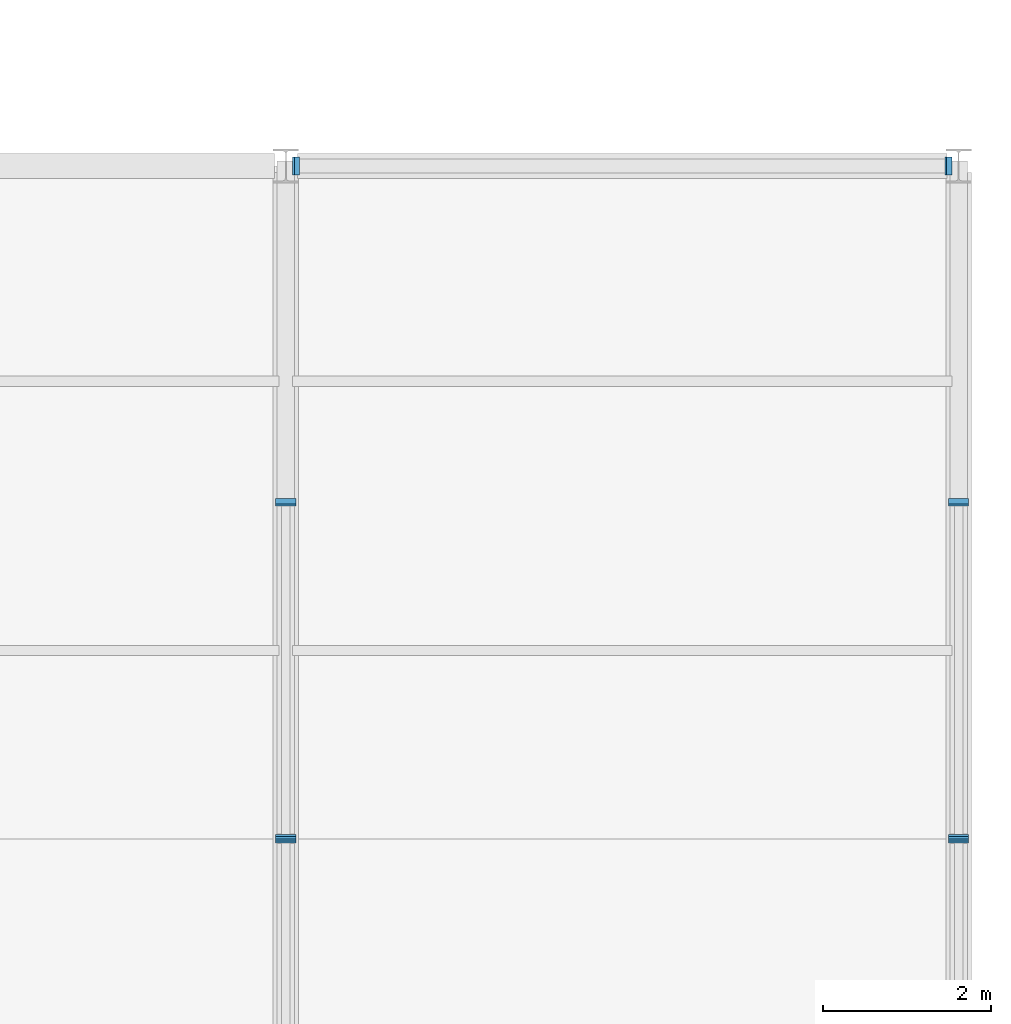
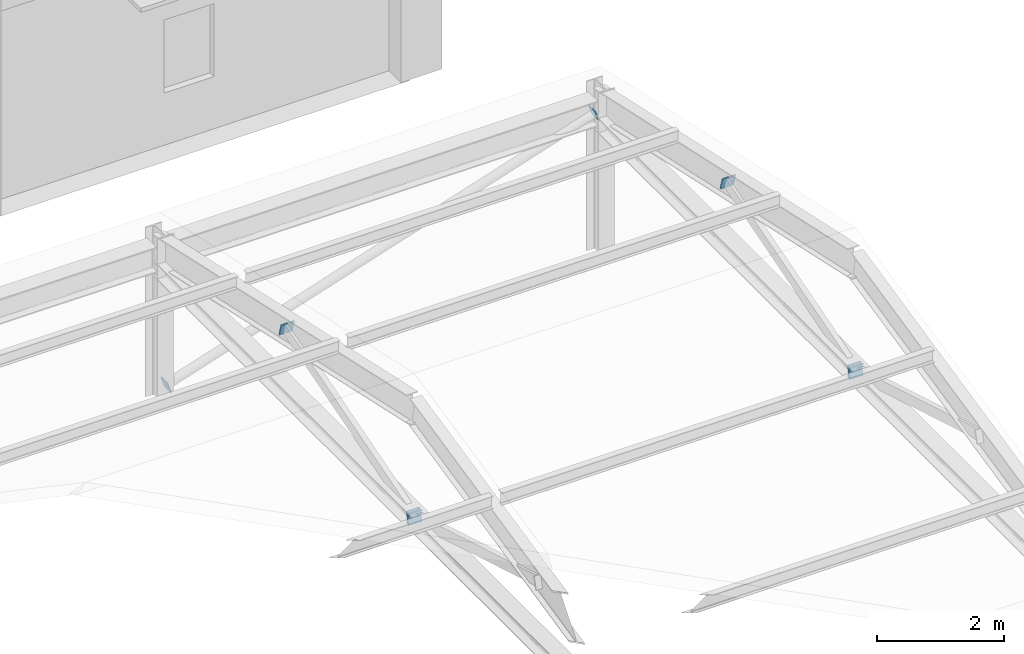
# One storey, part 88 of 109: 8 plates.
"""IFC4 building model written with IfcOpenShell, lengths in metres."""

from ifc_helpers import new_model, si_unit, direction, frame, origin, origin_2d, place, context, subcontext, project, spatial, rectangle, extrude, material, layer, layer_set, type_object, element, save


model = new_model("IFC4")

# Units and contexts
model_context = context("Model", 3, precision=1e-05, world=origin(), true_north=direction((0.0, 1.0)))
body_context = subcontext(model_context, "Body", "Model", "MODEL_VIEW")
ifc_project = project(units=[si_unit("LENGTHUNIT", "METRE"), si_unit("AREAUNIT", "SQUARE_METRE"), si_unit("VOLUMEUNIT", "CUBIC_METRE"), si_unit("PLANEANGLEUNIT", "RADIAN"), si_unit("MASSUNIT", "GRAM", prefix="KILO")], contexts=[model_context])

# Site, building, storey
site_placement = place(None, origin())
site = spatial("IfcSite", under=ifc_project, at=site_placement, CompositionType="ELEMENT")
building_placement = place(site_placement, origin())
building = spatial("IfcBuilding", under=site, at=building_placement, Name="Kivolera Central Railway Station", CompositionType="ELEMENT")
storey_placement = place(building_placement, frame((0.0, 0.0, 9.60009765625)))
storey = spatial("IfcBuildingStorey", under=building, at=storey_placement, Name="L02", CompositionType="ELEMENT", Elevation=9.60009765625)

# Plates
ifc_material = material(Name="Steel S355", Category="steel")
ifc_layer_1 = layer(ifc_material, 0.02001953125, Name="Steel S355")
ifc_layer_set_1 = layer_set([ifc_layer_1], Name="Steel S355")
plate_type_1 = type_object("IfcPlateType", Name="PLT-CAP-210", PredefinedType="SHEET", material=ifc_layer_set_1)
for number, where, z_axis, x_axis, name in (
    (1, (188.123046875, 48.0, 0.2490234375), (0.951662289003, 0.0, 0.307146362001), (0.0, 1.0, 0.0), "Hollow section end-cap plate NP-CAP3"),
    (2, (195.876953125, 48.0, 2.7509765625), (0.951662289003, 0.0, 0.307146362001), (0.0, 1.0, 0.0), "Hollow section end-cap plate NP-CAP3"),
):
    element("IfcPlate", number, at=place(storey_placement, frame(where, z_axis=z_axis, x_axis=x_axis)), inside=storey, type_object=plate_type_1, Name=name, PredefinedType="SHEET", context=body_context, shape_type="SweptSolid", body=[
        extrude(rectangle(XDim=0.2099609375, YDim=0.2099609375, at=origin_2d()), frame((0.0, 0.0, -0.010009765625)), (0.0, 0.0, 1.0), 0.02001953125),
    ])
ifc_layer_2 = layer(ifc_material, 0.02197265625, Name="Steel S355")
ifc_layer_set_2 = layer_set([ifc_layer_2], Name="Steel S355")
plate_type_2 = type_object("IfcPlateType", Name="PLT-CAP-260", PredefinedType="SHEET", material=ifc_layer_set_2)
for number, where, z_axis, x_axis, name in (
    (3, (188.0, 40.00390625, 2.618896484375), (0.0, -0.958810202665, 0.284047522901), (1.0, 0.0, 0.0), "Hollow section end-cap plate NP-CAP2"),
    (4, (188.0, 39.99609375, 2.618896484375), (0.0, 0.958810202665, 0.284047522901), (-1.0, 0.0, 0.0), "Hollow section end-cap plate NP-CAP2"),
    (5, (188.0, 44.00390625, 3.805908203125), (0.0, 0.958810202665, 0.284047522901), (-1.0, 0.0, 0.0), "Hollow section end-cap plate NP-CAP2"),
    (6, (196.0, 40.00390625, 2.618896484375), (0.0, -0.958810202665, 0.284047522901), (1.0, 0.0, 0.0), "Hollow section end-cap plate NP-CAP2"),
    (7, (196.0, 39.99609375, 2.618896484375), (0.0, 0.958810202665, 0.284047522901), (-1.0, 0.0, 0.0), "Hollow section end-cap plate NP-CAP2"),
    (8, (196.0, 44.00390625, 3.805908203125), (0.0, 0.958810202665, 0.284047522901), (-1.0, 0.0, 0.0), "Hollow section end-cap plate NP-CAP2"),
):
    element("IfcPlate", number, at=place(storey_placement, frame(where, z_axis=z_axis, x_axis=x_axis)), inside=storey, type_object=plate_type_2, Name=name, PredefinedType="SHEET", context=body_context, shape_type="SweptSolid", body=[
        extrude(rectangle(XDim=0.239990234375, YDim=0.239990234375, at=origin_2d()), frame((0.0, 0.0, -0.010986328125)), (0.0, 0.0, 1.0), 0.02197265625),
    ])

save(model, "model.ifc")
